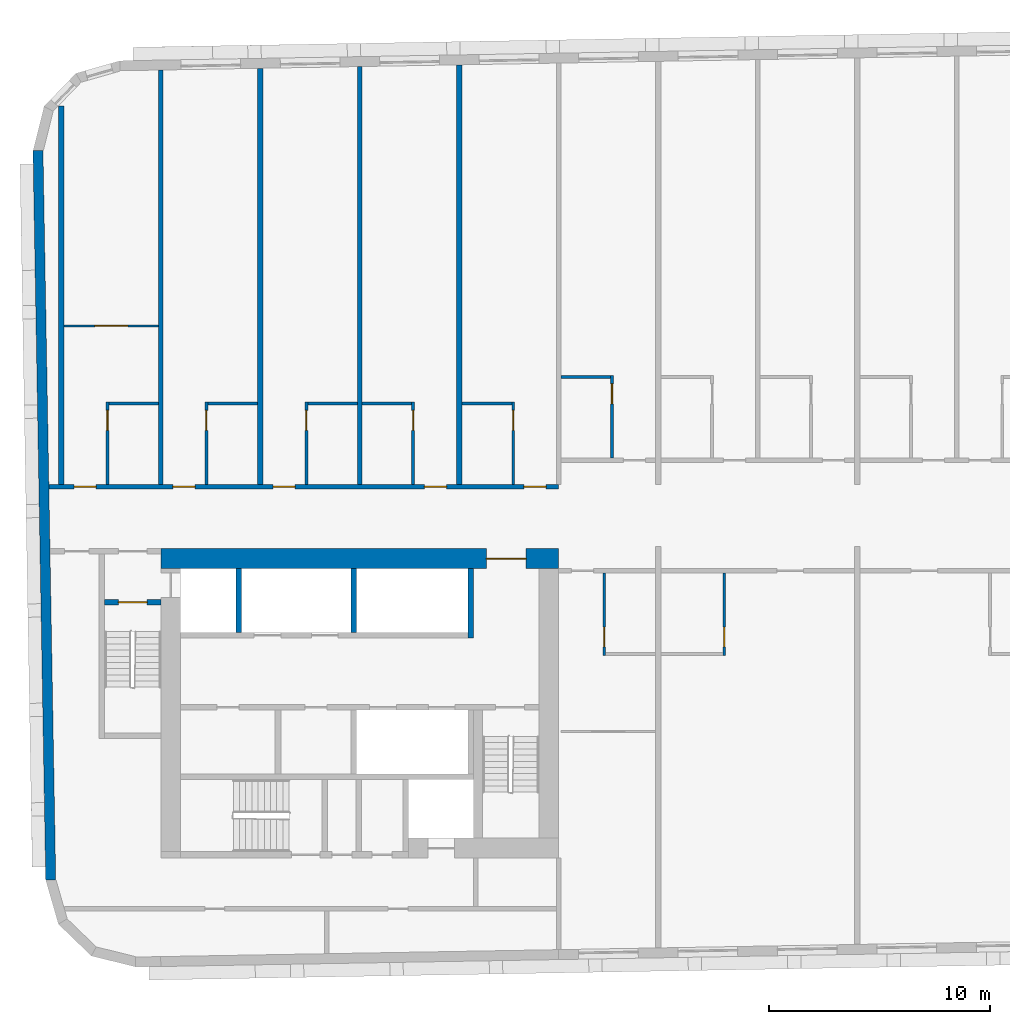
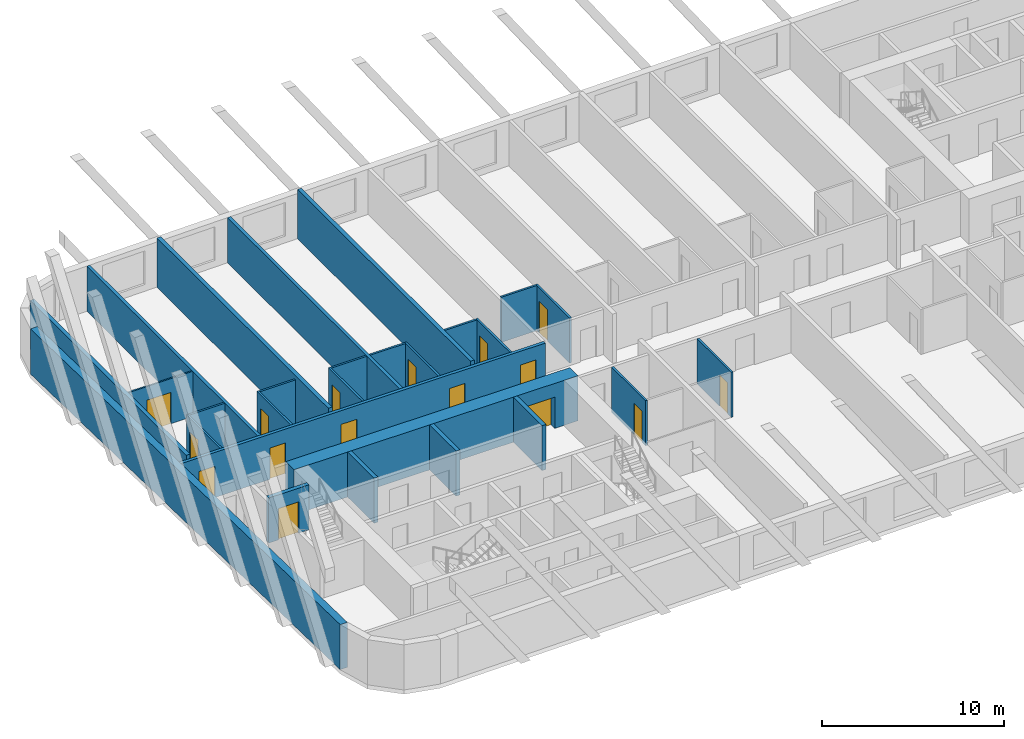
# One storey, part 3 of 13: 27 walls, 16 doors, 16 openings.
"""IFC4 building model written with IfcOpenShell, lengths in metres."""

import ifcopenshell
import ifcopenshell.guid

model = None  # the IFC model being written
_history = None  # IfcOwnerHistory: only IFC2X3 demands one
_inside = {}  # id of a spatial element -> (the spatial element, [elements in it])
_under = {}  # id of a project, library or spatial element -> (it, [spatial elements below it])
_declared = {}  # id of a project -> (the project, [libraries it declares])
_typed = {}  # id of a type object -> (the type object, [elements of that type])
_made_of = {}  # id of a material, layer set ... -> (it, [elements and type objects made of it])


def new_model(schema):
    """Start an empty IFC model of exactly this schema.

    Asked for "IFC4X3", IfcOpenShell would pick the latest addendum, in which some entities
    have other attributes; the version numbers below select the first issue.
    IFC2X3 requires an IfcOwnerHistory on every rooted entity: one is made here for all.
    """
    global model, _history
    if schema == "IFC4X3":
        model = ifcopenshell.file(schema_version=(4, 3, 0, 0))
    else:
        model = ifcopenshell.file(schema=schema)
    _inside.clear()
    _under.clear()
    _declared.clear()
    _typed.clear()
    _made_of.clear()
    _history = None
    if model.schema == "IFC2X3":
        org = make("IfcOrganization", Name="unknown")
        user = make(
            "IfcPersonAndOrganization",
            ThePerson=make("IfcPerson", FamilyName="unknown"),
            TheOrganization=org,
        )
        app = make(
            "IfcApplication",
            ApplicationDeveloper=org,
            Version="unknown",
            ApplicationFullName="unknown",
            ApplicationIdentifier="unknown",
        )
        _history = make(
            "IfcOwnerHistory",
            OwningUser=user,
            OwningApplication=app,
            ChangeAction="ADDED",
            CreationDate=0,
        )
    return model


def make(cls, **values):
    """One entity of the class cls with the attributes given. An attribute that is None is left unset."""
    return model.create_entity(
        cls, **{name: value for name, value in values.items() if value is not None}
    )


def rooted(cls, **values):
    """An entity with a GlobalId (a new one), such as an element, a storey or a relation."""
    return make(cls, GlobalId=ifcopenshell.guid.new(), OwnerHistory=_history, **values)


def si_unit(unit_type, name, prefix=None):
    """IfcSIUnit, for example si_unit("LENGTHUNIT", "METRE", prefix="MILLI")."""
    return make("IfcSIUnit", UnitType=unit_type, Prefix=prefix, Name=name)


def assignment(units):
    """IfcUnitAssignment: the units of a project."""
    return None if units is None else make("IfcUnitAssignment", Units=units)


def point(xyz):
    """IfcCartesianPoint."""
    return None if xyz is None else make("IfcCartesianPoint", Coordinates=xyz)


def direction(xyz):
    """IfcDirection."""
    return None if xyz is None else make("IfcDirection", DirectionRatios=xyz)


def frame(location, z_axis=None, x_axis=None):
    """IfcAxis2Placement3D, a coordinate frame: its origin and axes. An axis left out is left unset."""
    return make(
        "IfcAxis2Placement3D",
        Location=point(location),
        Axis=direction(z_axis),
        RefDirection=direction(x_axis),
    )


def frame_2d(location, x_axis=None):
    """IfcAxis2Placement2D, a coordinate frame in the plane: its origin and x axis."""
    return make(
        "IfcAxis2Placement2D", Location=point(location), RefDirection=direction(x_axis)
    )


def origin():
    """The frame at (0, 0, 0) with its axes left unset."""
    return frame((0.0, 0.0, 0.0))


def place(relative_to, where):
    """IfcLocalPlacement: puts the frame where relative to a parent placement (None: the world)."""
    return make(
        "IfcLocalPlacement", PlacementRelTo=relative_to, RelativePlacement=where
    )


def context(
    kind, dimensions, precision=None, world=None, true_north=None, identifier=None
):
    """IfcGeometricRepresentationContext, for example the 3D "Model" context."""
    return make(
        "IfcGeometricRepresentationContext",
        ContextIdentifier=identifier,
        ContextType=kind,
        CoordinateSpaceDimension=dimensions,
        Precision=precision,
        WorldCoordinateSystem=world,
        TrueNorth=true_north,
    )


def subcontext(parent, identifier, kind, view, scale=None):
    """IfcGeometricRepresentationSubContext, for example "Body" below "Model"."""
    return make(
        "IfcGeometricRepresentationSubContext",
        ContextIdentifier=identifier,
        ContextType=kind,
        ParentContext=parent,
        TargetScale=scale,
        TargetView=view,
    )


def project(units=None, contexts=None):
    """IfcProject with its units and contexts."""
    return rooted(
        "IfcProject",
        Name="project",
        RepresentationContexts=contexts,
        UnitsInContext=assignment(units),
    )


def spatial(cls, under=None, at=None, **own):
    """A site, building, storey or space (cls), placed at a placement, below another one or the project."""
    s = rooted(cls, ObjectPlacement=at, **own)
    if under is not None:
        _under.setdefault(under.id(), (under, []))[1].append(s)
    return s


def profile(cls, at=None, kind="AREA", **sizes):
    """A parametric profile (cls). Its sizes go by their IFC names, for example OverallWidth=200.0."""
    return make(cls, ProfileType=kind, Position=at, **sizes)


def rectangle(**sizes):
    """IfcRectangleProfileDef."""
    return profile("IfcRectangleProfileDef", **sizes)


def extrude(swept, where, along, depth):
    """IfcExtrudedAreaSolid: the profile swept, set in the frame where, extruded along a direction by depth."""
    return make(
        "IfcExtrudedAreaSolid",
        SweptArea=swept,
        Position=where,
        ExtrudedDirection=direction(along),
        Depth=depth,
    )


def shape(context_of_items, identifier, shape_type, items):
    """IfcShapeRepresentation: the items that make up one representation, for example the "Body"."""
    return make(
        "IfcShapeRepresentation",
        ContextOfItems=context_of_items,
        RepresentationIdentifier=identifier,
        RepresentationType=shape_type,
        Items=items,
    )


def material(Name=None, Category=None):
    """IfcMaterial."""
    return make("IfcMaterial", Name=Name, Category=Category)


def layer(
    of_material, thickness, ventilated=None, Name=None, Category=None, Priority=None
):
    """IfcMaterialLayer: one layer of a wall or slab, of a material (None: an air gap)."""
    return make(
        "IfcMaterialLayer",
        Material=of_material,
        LayerThickness=thickness,
        IsVentilated=ventilated,
        Name=Name,
        Category=Category,
        Priority=Priority,
    )


def layer_set(layers, Name=None):
    """IfcMaterialLayerSet."""
    return make("IfcMaterialLayerSet", MaterialLayers=layers, LayerSetName=Name)


def made_of(thing, what):
    """Note that an element or type object is made of a material, layer set ...; save() writes the relation."""
    if what is not None:
        _made_of.setdefault(what.id(), (what, []))[1].append(thing)
    return thing


def type_object(cls, material=None, **own):
    """A type object (cls), such as IfcWallType, which elements share."""
    return made_of(rooted(cls, **own), material)


def element(
    cls,
    number,
    at=None,
    inside=None,
    cuts=None,
    type_object=None,
    material=None,
    context=None,
    identifier="Body",
    shape_type=None,
    held_by="IfcProductDefinitionShape",
    body=None,
    shapes=None,
    **own,
):
    """One element of the class cls, such as IfcWall. Its Tag is "e" and its number.

    at: its placement. inside: the storey or other place that contains it. cuts: it is an
    opening in that element (IfcRelVoidsElement). A single representation is given by context,
    identifier, shape_type and body (its items); several are given by shapes. held_by: the class
    of the entity that holds the representations. save() writes the other relations.
    """
    e = rooted(cls, Tag="e%d" % number, ObjectPlacement=at, **own)
    if body is not None:
        shapes = [shape(context, identifier, shape_type, body)]
    if shapes is not None:
        e.Representation = make(held_by, Representations=shapes)
    if inside is not None:
        _inside.setdefault(inside.id(), (inside, []))[1].append(e)
    if cuts is not None:
        rooted(
            "IfcRelVoidsElement", RelatingBuildingElement=cuts, RelatedOpeningElement=e
        )
    if type_object is not None:
        _typed.setdefault(type_object.id(), (type_object, []))[1].append(e)
    return made_of(e, material)


def fill(opening, filler):
    """IfcRelFillsElement: the door or window that sits in an opening."""
    return rooted(
        "IfcRelFillsElement",
        RelatingOpeningElement=opening,
        RelatedBuildingElement=filler,
    )


def aggregate(whole, parts):
    """IfcRelAggregates: a whole, such as a stair, and the parts it consists of."""
    return rooted("IfcRelAggregates", RelatingObject=whole, RelatedObjects=parts)


def save(model, path):
    """Write the relations noted so far, then the file.

    IfcRelAggregates (storeys below a building ...), IfcRelContainedInSpatialStructure (elements
    in a storey), IfcRelDefinesByType, IfcRelAssociatesMaterial and IfcRelDeclares: one each for
    every whole, place, type object, material and project.
    """
    for whole, parts in _under.values():
        aggregate(whole, parts)
    for where, things in _inside.values():
        rooted(
            "IfcRelContainedInSpatialStructure",
            RelatedElements=things,
            RelatingStructure=where,
        )
    for kind, things in _typed.values():
        rooted("IfcRelDefinesByType", RelatedObjects=things, RelatingType=kind)
    for what, things in _made_of.values():
        rooted("IfcRelAssociatesMaterial", RelatedObjects=things, RelatingMaterial=what)
    for by, libraries in _declared.values():
        rooted("IfcRelDeclares", RelatingContext=by, RelatedDefinitions=libraries)
    model.write(path)


model = new_model("IFC4")

# Units and contexts
model_context = context("Model", 3, precision=1e-05, world=origin(), true_north=direction((0.0, 1.0)))
body_context = subcontext(model_context, "Body", "Model", "MODEL_VIEW")
ifc_project = project(units=[si_unit("LENGTHUNIT", "METRE"), si_unit("AREAUNIT", "SQUARE_METRE"), si_unit("VOLUMEUNIT", "CUBIC_METRE"), si_unit("PLANEANGLEUNIT", "RADIAN"), si_unit("MASSUNIT", "GRAM", prefix="KILO")], contexts=[model_context])

# Site, building, storey
site_placement = place(None, origin())
site = spatial("IfcSite", under=ifc_project, at=site_placement, CompositionType="ELEMENT")
building_placement = place(site_placement, origin())
building = spatial("IfcBuilding", under=site, at=building_placement, Name="Kajstack Hotel Tower", CompositionType="ELEMENT")
storey_placement = place(building_placement, frame((0.0, 0.0, 237.5)))
storey = spatial("IfcBuildingStorey", under=building, at=storey_placement, Name="L58", CompositionType="ELEMENT", Elevation=237.5)

# Wall, opening, door
ifc_material_1 = material(Name="Concrete C60/75", Category="concrete")
ifc_layer_1 = layer(ifc_material_1, 0.89990234375)
ifc_layer_set_1 = layer_set([ifc_layer_1], Name="Core wall 900")
wall_type_1 = type_object("IfcWallType", Name="Core wall 900", PredefinedType="SHEAR", material=ifc_layer_set_1)
wall_1_placement = place(storey_placement, frame((-31.5, -1.949951171875, 0.0), z_axis=(0.0, 0.0, 1.0), x_axis=(1.0, 0.0, 0.0)))
wall_1 = element("IfcWall", 1, at=wall_1_placement, inside=storey, type_object=wall_type_1, Name="Core wall W RN", PredefinedType="SHEAR", context=body_context, shape_type="SweptSolid", body=[
    extrude(rectangle(XDim=18.0, YDim=0.89990234375, at=frame_2d((9.0, 0.0))), origin(), (0.0, 0.0, 1.0), 3.02001953125),
])
opening_1_placement = place(wall_1_placement, frame((14.72509765625, 0.0, 0.0)))
opening_1 = element("IfcOpeningElement", 2, at=opening_1_placement, cuts=wall_1, Name="Opening 58W07", PredefinedType="OPENING", context=body_context, shape_type="SweptSolid", body=[
    extrude(rectangle(XDim=1.800048828125, YDim=2.10009765625, at=frame_2d((0.89990234375, 1.050048828125))), frame((0.0, 0.4599609375, 0.0), z_axis=(0.0, -1.0, 0.0), x_axis=(1.0, 0.0, 0.0)), (0.0, 0.0, 1.0), 0.919921875),
])
ifc_material_2 = material(Name="Glazed steel frame, fire-rated glass", Category="steel")
door_type_1 = type_object("IfcDoorType", Name="Lobby double door 1800", OperationType="DOUBLE_DOOR_DOUBLE_SWING", PredefinedType="DOOR", material=ifc_material_2)
door_1_placement = place(opening_1_placement, origin())
door_1 = element("IfcDoor", 3, at=door_1_placement, inside=storey, type_object=door_type_1, Name="Door 58W07", OperationType="DOUBLE_DOOR_DOUBLE_SWING", OverallHeight=2.10009765625, OverallWidth=1.800048828125, PredefinedType="DOOR", context=body_context, shape_type="SweptSolid", body=[
    extrude(rectangle(XDim=1.800048828125, YDim=2.10009765625, at=frame_2d((0.89990234375, 1.050048828125))), frame((0.0, 0.02490234375, 0.0), z_axis=(0.0, -1.0, 0.0), x_axis=(1.0, 0.0, 0.0)), (0.0, 0.0, 1.0), 0.050048828125),
])
fill(opening_1, door_1)

# Wall, openings, doors
ifc_material_3 = material(Name="Gypsum board on steel studs, mineral wool", Category="steel")
ifc_layer_2 = layer(ifc_material_3, 0.199951171875)
ifc_layer_set_2 = layer_set([ifc_layer_2], Name="Corridor wall 200")
wall_type_2 = type_object("IfcWallType", Name="Corridor wall 200", PredefinedType="PARTITIONING", material=ifc_layer_set_2)
wall_2_placement = place(storey_placement, frame((-36.56591796875, 1.300048828125, 0.0), z_axis=(0.0, 0.0, 1.0), x_axis=(1.0, 0.0, 0.0)))
wall_2 = element("IfcWall", 4, at=wall_2_placement, inside=storey, type_object=wall_type_2, Name="G-wall-L58-003", PredefinedType="PARTITIONING", context=body_context, shape_type="SweptSolid", body=[
    extrude(rectangle(XDim=23.06591796875, YDim=0.199951171875, at=frame_2d((11.532958984375, 0.0))), origin(), (0.0, 0.0, 1.0), 3.02001953125),
])
opening_2_placement = place(wall_2_placement, frame((1.14111328125, 0.0, 0.0)))
opening_2 = element("IfcOpeningElement", 5, at=opening_2_placement, cuts=wall_2, Name="Opening 58001", PredefinedType="OPENING", context=body_context, shape_type="SweptSolid", body=[
    extrude(rectangle(XDim=1.0, YDim=2.10009765625, at=frame_2d((0.5, 1.050048828125))), frame((0.0, 0.10986328125, 0.0), z_axis=(0.0, -1.0, 0.0), x_axis=(1.0, 0.0, 0.0)), (0.0, 0.0, 1.0), 0.219970703125),
])
opening_3_placement = place(wall_2_placement, frame((5.615966796875, 0.0, 0.0)))
opening_3 = element("IfcOpeningElement", 6, at=opening_3_placement, cuts=wall_2, Name="Opening 58004", PredefinedType="OPENING", context=body_context, shape_type="SweptSolid", body=[
    extrude(rectangle(XDim=1.0, YDim=2.10009765625, at=frame_2d((0.5, 1.050048828125))), frame((0.0, 0.10986328125, 0.0), z_axis=(0.0, -1.0, 0.0), x_axis=(1.0, 0.0, 0.0)), (0.0, 0.0, 1.0), 0.219970703125),
])
opening_4_placement = place(wall_2_placement, frame((10.14111328125, 0.0, 0.0)))
opening_4 = element("IfcOpeningElement", 7, at=opening_4_placement, cuts=wall_2, Name="Opening 58006", PredefinedType="OPENING", context=body_context, shape_type="SweptSolid", body=[
    extrude(rectangle(XDim=1.0, YDim=2.10009765625, at=frame_2d((0.5, 1.050048828125))), frame((0.0, 0.10986328125, 0.0), z_axis=(0.0, -1.0, 0.0), x_axis=(1.0, 0.0, 0.0)), (0.0, 0.0, 1.0), 0.219970703125),
])
opening_5_placement = place(wall_2_placement, frame((16.990966796875, 0.0, 0.0)))
opening_5 = element("IfcOpeningElement", 8, at=opening_5_placement, cuts=wall_2, Name="Opening 58008", PredefinedType="OPENING", context=body_context, shape_type="SweptSolid", body=[
    extrude(rectangle(XDim=1.0, YDim=2.10009765625, at=frame_2d((0.5, 1.050048828125))), frame((0.0, 0.10986328125, 0.0), z_axis=(0.0, -1.0, 0.0), x_axis=(1.0, 0.0, 0.0)), (0.0, 0.0, 1.0), 0.219970703125),
])
opening_6_placement = place(wall_2_placement, frame((21.490966796875, 0.0, 0.0)))
opening_6 = element("IfcOpeningElement", 9, at=opening_6_placement, cuts=wall_2, Name="Opening 58010", PredefinedType="OPENING", context=body_context, shape_type="SweptSolid", body=[
    extrude(rectangle(XDim=1.0, YDim=2.10009765625, at=frame_2d((0.5, 1.050048828125))), frame((0.0, 0.10986328125, 0.0), z_axis=(0.0, -1.0, 0.0), x_axis=(1.0, 0.0, 0.0)), (0.0, 0.0, 1.0), 0.219970703125),
])
ifc_material_4 = material(Name="Oak veneer on timber core, fire-rated leaf", Category="wood")
door_type_2 = type_object("IfcDoorType", Name="Flat entrance door 1000", OperationType="SINGLE_SWING_LEFT", PredefinedType="DOOR", material=ifc_material_4)
door_2_placement = place(opening_2_placement, origin())
door_2 = element("IfcDoor", 10, at=door_2_placement, inside=storey, type_object=door_type_2, Name="G-door-L58-01", OperationType="SINGLE_SWING_LEFT", OverallHeight=2.10009765625, OverallWidth=1.0, PredefinedType="DOOR", context=body_context, shape_type="SweptSolid", body=[
    extrude(rectangle(XDim=1.0, YDim=2.10009765625, at=frame_2d((0.5, 1.050048828125))), frame((0.0, 0.02490234375, 0.0), z_axis=(0.0, -1.0, 0.0), x_axis=(1.0, 0.0, 0.0)), (0.0, 0.0, 1.0), 0.050048828125),
])
fill(opening_2, door_2)
door_3_placement = place(opening_3_placement, origin())
door_3 = element("IfcDoor", 11, at=door_3_placement, inside=storey, type_object=door_type_2, Name="G-door-L58-04", OperationType="SINGLE_SWING_LEFT", OverallHeight=2.10009765625, OverallWidth=1.0, PredefinedType="DOOR", context=body_context, shape_type="SweptSolid", body=[
    extrude(rectangle(XDim=1.0, YDim=2.10009765625, at=frame_2d((0.5, 1.050048828125))), frame((0.0, 0.02490234375, 0.0), z_axis=(0.0, -1.0, 0.0), x_axis=(1.0, 0.0, 0.0)), (0.0, 0.0, 1.0), 0.050048828125),
])
fill(opening_3, door_3)
door_4_placement = place(opening_4_placement, origin())
door_4 = element("IfcDoor", 12, at=door_4_placement, inside=storey, type_object=door_type_2, Name="G-door-L58-06", OperationType="SINGLE_SWING_RIGHT", OverallHeight=2.10009765625, OverallWidth=1.0, PredefinedType="DOOR", context=body_context, shape_type="SweptSolid", body=[
    extrude(rectangle(XDim=1.0, YDim=2.10009765625, at=frame_2d((0.5, 1.050048828125))), frame((0.0, 0.02490234375, 0.0), z_axis=(0.0, -1.0, 0.0), x_axis=(1.0, 0.0, 0.0)), (0.0, 0.0, 1.0), 0.050048828125),
])
fill(opening_4, door_4)
door_5_placement = place(opening_5_placement, origin())
door_5 = element("IfcDoor", 13, at=door_5_placement, inside=storey, type_object=door_type_2, Name="G-door-L58-08", OperationType="SINGLE_SWING_RIGHT", OverallHeight=2.10009765625, OverallWidth=1.0, PredefinedType="DOOR", context=body_context, shape_type="SweptSolid", body=[
    extrude(rectangle(XDim=1.0, YDim=2.10009765625, at=frame_2d((0.5, 1.050048828125))), frame((0.0, 0.02490234375, 0.0), z_axis=(0.0, -1.0, 0.0), x_axis=(1.0, 0.0, 0.0)), (0.0, 0.0, 1.0), 0.050048828125),
])
fill(opening_5, door_5)
door_6_placement = place(opening_6_placement, origin())
door_6 = element("IfcDoor", 14, at=door_6_placement, inside=storey, type_object=door_type_2, Name="G-door-L58-10", OperationType="SINGLE_SWING_LEFT", OverallHeight=2.10009765625, OverallWidth=1.0, PredefinedType="DOOR", context=body_context, shape_type="SweptSolid", body=[
    extrude(rectangle(XDim=1.0, YDim=2.10009765625, at=frame_2d((0.5, 1.050048828125))), frame((0.0, 0.02490234375, 0.0), z_axis=(0.0, -1.0, 0.0), x_axis=(1.0, 0.0, 0.0)), (0.0, 0.0, 1.0), 0.050048828125),
])
fill(opening_6, door_6)

# Walls
ifc_material_5 = material(Name="Twin-frame gypsum board on steel studs, mineral wool", Category="steel")
ifc_layer_3 = layer(ifc_material_5, 0.199951171875)
ifc_layer_set_3 = layer_set([ifc_layer_3], Name="Demising wall 200")
wall_type_3 = type_object("IfcWallType", Name="Demising wall 200", PredefinedType="PARTITIONING", material=ifc_layer_set_3)
wall_3_placement = place(storey_placement, frame((-31.5, 1.39990234375, 0.0), z_axis=(0.0, 0.0, 1.0), x_axis=(0.0, 1.0, 0.0)))
element("IfcWall", 15, at=wall_3_placement, inside=storey, type_object=wall_type_3, Name="G-wall-L58-005", PredefinedType="PARTITIONING", context=body_context, shape_type="SweptSolid", body=[
    extrude(rectangle(XDim=18.7509765625, YDim=0.199951171875, at=frame_2d((9.37548828125, 0.0))), origin(), (0.0, 0.0, 1.0), 3.02001953125),
])
wall_4_placement = place(storey_placement, frame((-22.5, 1.39990234375, 0.0), z_axis=(0.0, 0.0, 1.0), x_axis=(0.0, 1.0, 0.0)))
element("IfcWall", 16, at=wall_4_placement, inside=storey, type_object=wall_type_3, Name="G-wall-L58-011", PredefinedType="PARTITIONING", context=body_context, shape_type="SweptSolid", body=[
    extrude(rectangle(XDim=18.908203125, YDim=0.199951171875, at=frame_2d((9.4541015625, 0.0))), origin(), (0.0, 0.0, 1.0), 3.02001953125),
])
ifc_material_6 = material(Name="Terracotta-faced brick masonry", Category="masonry")
ifc_layer_4 = layer(ifc_material_6, 0.449951171875)
ifc_layer_set_4 = layer_set([ifc_layer_4], Name="EW-TERRA")
wall_type_4 = type_object("IfcWallType", Name="EW-TERRA", PredefinedType="SOLIDWALL", material=ifc_layer_set_4)
wall_5_placement = place(storey_placement, frame((-37.056884765625, 16.50341796875, 0.0), z_axis=(0.0, 0.0, 1.0), x_axis=(0.017452279857, -0.999847697366, 0.0)))
element("IfcWall", 17, at=wall_5_placement, inside=storey, type_object=wall_type_4, Name="E-wall-L58-00-00", PredefinedType="SOLIDWALL", context=body_context, shape_type="SweptSolid", body=[
    extrude(rectangle(XDim=33.000244140625, YDim=0.449951171875, at=frame_2d((16.5, 0.0))), origin(), (0.0, 0.0, 1.0), 3.02001953125),
])

# Wall, opening, door
ifc_material_7 = material(Name="Gypsum board and tiled backer on steel studs", Category="steel")
ifc_layer_5 = layer(ifc_material_7, 0.125)
ifc_layer_set_5 = layer_set([ifc_layer_5], Name="En-suite wall 125")
wall_type_5 = type_object("IfcWallType", Name="En-suite wall 125", PredefinedType="PARTITIONING", material=ifc_layer_set_5)
wall_6_placement = place(storey_placement, frame((-33.9130859375, 1.39990234375, 0.0), z_axis=(0.0, 0.0, 1.0), x_axis=(0.0, 1.0, 0.0)))
wall_6 = element("IfcWall", 18, at=wall_6_placement, inside=storey, type_object=wall_type_5, Name="G-wall-L58-006", PredefinedType="PARTITIONING", context=body_context, shape_type="SweptSolid", body=[
    extrude(rectangle(XDim=3.72509765625, YDim=0.125, at=frame_2d((1.862548828125, 0.0))), origin(), (0.0, 0.0, 1.0), 3.02001953125),
])
opening_7_placement = place(wall_6_placement, frame((2.449951171875, 0.0, 0.0)))
opening_7 = element("IfcOpeningElement", 19, at=opening_7_placement, cuts=wall_6, Name="Opening 58002", PredefinedType="OPENING", context=body_context, shape_type="SweptSolid", body=[
    extrude(rectangle(XDim=0.89990234375, YDim=2.10009765625, at=frame_2d((0.449951171875, 1.050048828125))), frame((0.0, 0.072509765625, 0.0), z_axis=(0.0, -1.0, 0.0), x_axis=(1.0, 0.0, 0.0)), (0.0, 0.0, 1.0), 0.14501953125),
])
ifc_material_8 = material(Name="Painted timber door leaf", Category="wood")
door_type_3 = type_object("IfcDoorType", Name="Room door 900", OperationType="SINGLE_SWING_LEFT", PredefinedType="DOOR", material=ifc_material_8)
door_7_placement = place(opening_7_placement, origin())
door_7 = element("IfcDoor", 20, at=door_7_placement, inside=storey, type_object=door_type_3, Name="G-door-L58-02", OperationType="SINGLE_SWING_LEFT", OverallHeight=2.10009765625, OverallWidth=0.89990234375, PredefinedType="DOOR", context=body_context, shape_type="SweptSolid", body=[
    extrude(rectangle(XDim=0.89990234375, YDim=2.10009765625, at=frame_2d((0.449951171875, 1.050048828125))), frame((0.0, 0.02490234375, 0.0), z_axis=(0.0, -1.0, 0.0), x_axis=(1.0, 0.0, 0.0)), (0.0, 0.0, 1.0), 0.050048828125),
])
fill(opening_7, door_7)

# Wall
wall_7_placement = place(storey_placement, frame((-33.85009765625, 5.06201171875, 0.0), z_axis=(0.0, 0.0, 1.0), x_axis=(1.0, 0.0, 0.0)))
element("IfcWall", 21, at=wall_7_placement, inside=storey, type_object=wall_type_5, Name="G-wall-L58-007", PredefinedType="PARTITIONING", context=body_context, shape_type="SweptSolid", body=[
    extrude(rectangle(XDim=2.25, YDim=0.125, at=frame_2d((1.125, 0.0))), origin(), (0.0, 0.0, 1.0), 3.02001953125),
])

# Wall, opening, door
wall_8_placement = place(storey_placement, frame((-29.43798828125, 1.39990234375, 0.0), z_axis=(0.0, 0.0, 1.0), x_axis=(0.0, 1.0, 0.0)))
wall_8 = element("IfcWall", 22, at=wall_8_placement, inside=storey, type_object=wall_type_5, Name="G-wall-L58-009", PredefinedType="PARTITIONING", context=body_context, shape_type="SweptSolid", body=[
    extrude(rectangle(XDim=3.72509765625, YDim=0.125, at=frame_2d((1.862548828125, 0.0))), origin(), (0.0, 0.0, 1.0), 3.02001953125),
])
opening_8_placement = place(wall_8_placement, frame((2.449951171875, 0.0, 0.0)))
opening_8 = element("IfcOpeningElement", 23, at=opening_8_placement, cuts=wall_8, Name="Opening 58005", PredefinedType="OPENING", context=body_context, shape_type="SweptSolid", body=[
    extrude(rectangle(XDim=0.89990234375, YDim=2.10009765625, at=frame_2d((0.449951171875, 1.050048828125))), frame((0.0, 0.072509765625, 0.0), z_axis=(0.0, -1.0, 0.0), x_axis=(1.0, 0.0, 0.0)), (0.0, 0.0, 1.0), 0.14501953125),
])
door_8_placement = place(opening_8_placement, origin())
door_8 = element("IfcDoor", 24, at=door_8_placement, inside=storey, type_object=door_type_3, Name="G-door-L58-05", OperationType="SINGLE_SWING_LEFT", OverallHeight=2.10009765625, OverallWidth=0.89990234375, PredefinedType="DOOR", context=body_context, shape_type="SweptSolid", body=[
    extrude(rectangle(XDim=0.89990234375, YDim=2.10009765625, at=frame_2d((0.449951171875, 1.050048828125))), frame((0.0, 0.02490234375, 0.0), z_axis=(0.0, -1.0, 0.0), x_axis=(1.0, 0.0, 0.0)), (0.0, 0.0, 1.0), 0.050048828125),
])
fill(opening_8, door_8)

# Wall
wall_9_placement = place(storey_placement, frame((-29.375, 5.06201171875, 0.0), z_axis=(0.0, 0.0, 1.0), x_axis=(1.0, 0.0, 0.0)))
element("IfcWall", 25, at=wall_9_placement, inside=storey, type_object=wall_type_5, Name="G-wall-L58-010", PredefinedType="PARTITIONING", context=body_context, shape_type="SweptSolid", body=[
    extrude(rectangle(XDim=2.25, YDim=0.125, at=frame_2d((1.125, 0.0))), origin(), (0.0, 0.0, 1.0), 3.02001953125),
])

# Wall, opening, door
wall_10_placement = place(storey_placement, frame((-24.9130859375, 1.39990234375, 0.0), z_axis=(0.0, 0.0, 1.0), x_axis=(0.0, 1.0, 0.0)))
wall_10 = element("IfcWall", 26, at=wall_10_placement, inside=storey, type_object=wall_type_5, Name="G-wall-L58-012", PredefinedType="PARTITIONING", context=body_context, shape_type="SweptSolid", body=[
    extrude(rectangle(XDim=3.72509765625, YDim=0.125, at=frame_2d((1.862548828125, 0.0))), origin(), (0.0, 0.0, 1.0), 3.02001953125),
])
opening_9_placement = place(wall_10_placement, frame((2.449951171875, 0.0, 0.0)))
opening_9 = element("IfcOpeningElement", 27, at=opening_9_placement, cuts=wall_10, Name="Opening 58007", PredefinedType="OPENING", context=body_context, shape_type="SweptSolid", body=[
    extrude(rectangle(XDim=0.89990234375, YDim=2.10009765625, at=frame_2d((0.449951171875, 1.050048828125))), frame((0.0, 0.072509765625, 0.0), z_axis=(0.0, -1.0, 0.0), x_axis=(1.0, 0.0, 0.0)), (0.0, 0.0, 1.0), 0.14501953125),
])
door_9_placement = place(opening_9_placement, origin())
door_9 = element("IfcDoor", 28, at=door_9_placement, inside=storey, type_object=door_type_3, Name="G-door-L58-07", OperationType="SINGLE_SWING_LEFT", OverallHeight=2.10009765625, OverallWidth=0.89990234375, PredefinedType="DOOR", context=body_context, shape_type="SweptSolid", body=[
    extrude(rectangle(XDim=0.89990234375, YDim=2.10009765625, at=frame_2d((0.449951171875, 1.050048828125))), frame((0.0, 0.02490234375, 0.0), z_axis=(0.0, -1.0, 0.0), x_axis=(1.0, 0.0, 0.0)), (0.0, 0.0, 1.0), 0.050048828125),
])
fill(opening_9, door_9)

# Wall
wall_11_placement = place(storey_placement, frame((-24.85009765625, 5.06201171875, 0.0), z_axis=(0.0, 0.0, 1.0), x_axis=(1.0, 0.0, 0.0)))
element("IfcWall", 29, at=wall_11_placement, inside=storey, type_object=wall_type_5, Name="G-wall-L58-013", PredefinedType="PARTITIONING", context=body_context, shape_type="SweptSolid", body=[
    extrude(rectangle(XDim=2.25, YDim=0.125, at=frame_2d((1.125, 0.0))), origin(), (0.0, 0.0, 1.0), 3.02001953125),
])

# Wall, opening, door
wall_12_placement = place(storey_placement, frame((-20.0869140625, 1.39990234375, 0.0), z_axis=(0.0, 0.0, 1.0), x_axis=(0.0, 1.0, 0.0)))
wall_12 = element("IfcWall", 30, at=wall_12_placement, inside=storey, type_object=wall_type_5, Name="G-wall-L58-014", PredefinedType="PARTITIONING", context=body_context, shape_type="SweptSolid", body=[
    extrude(rectangle(XDim=3.72509765625, YDim=0.125, at=frame_2d((1.862548828125, 0.0))), origin(), (0.0, 0.0, 1.0), 3.02001953125),
])
opening_10_placement = place(wall_12_placement, frame((2.449951171875, 0.0, 0.0)))
opening_10 = element("IfcOpeningElement", 31, at=opening_10_placement, cuts=wall_12, Name="Opening 58009", PredefinedType="OPENING", context=body_context, shape_type="SweptSolid", body=[
    extrude(rectangle(XDim=0.89990234375, YDim=2.10009765625, at=frame_2d((0.449951171875, 1.050048828125))), frame((0.0, 0.072509765625, 0.0), z_axis=(0.0, -1.0, 0.0), x_axis=(1.0, 0.0, 0.0)), (0.0, 0.0, 1.0), 0.14501953125),
])
door_10_placement = place(opening_10_placement, origin())
door_10 = element("IfcDoor", 32, at=door_10_placement, inside=storey, type_object=door_type_3, Name="G-door-L58-09", OperationType="SINGLE_SWING_LEFT", OverallHeight=2.10009765625, OverallWidth=0.89990234375, PredefinedType="DOOR", context=body_context, shape_type="SweptSolid", body=[
    extrude(rectangle(XDim=0.89990234375, YDim=2.10009765625, at=frame_2d((0.449951171875, 1.050048828125))), frame((0.0, 0.02490234375, 0.0), z_axis=(0.0, -1.0, 0.0), x_axis=(1.0, 0.0, 0.0)), (0.0, 0.0, 1.0), 0.050048828125),
])
fill(opening_10, door_10)

# Wall
wall_13_placement = place(storey_placement, frame((-22.39990234375, 5.06201171875, 0.0), z_axis=(0.0, 0.0, 1.0), x_axis=(1.0, 0.0, 0.0)))
element("IfcWall", 33, at=wall_13_placement, inside=storey, type_object=wall_type_5, Name="G-wall-L58-015", PredefinedType="PARTITIONING", context=body_context, shape_type="SweptSolid", body=[
    extrude(rectangle(XDim=2.25, YDim=0.125, at=frame_2d((1.125, 0.0))), origin(), (0.0, 0.0, 1.0), 3.02001953125),
])

# Wall, opening, door
wall_14_placement = place(storey_placement, frame((-15.56201171875, 1.39990234375, 0.0), z_axis=(0.0, 0.0, 1.0), x_axis=(0.0, 1.0, 0.0)))
wall_14 = element("IfcWall", 34, at=wall_14_placement, inside=storey, type_object=wall_type_5, Name="G-wall-L58-017", PredefinedType="PARTITIONING", context=body_context, shape_type="SweptSolid", body=[
    extrude(rectangle(XDim=3.72509765625, YDim=0.125, at=frame_2d((1.862548828125, 0.0))), origin(), (0.0, 0.0, 1.0), 3.02001953125),
])
opening_11_placement = place(wall_14_placement, frame((2.449951171875, 0.0, 0.0)))
opening_11 = element("IfcOpeningElement", 35, at=opening_11_placement, cuts=wall_14, Name="Opening 58011", PredefinedType="OPENING", context=body_context, shape_type="SweptSolid", body=[
    extrude(rectangle(XDim=0.89990234375, YDim=2.10009765625, at=frame_2d((0.449951171875, 1.050048828125))), frame((0.0, 0.072509765625, 0.0), z_axis=(0.0, -1.0, 0.0), x_axis=(1.0, 0.0, 0.0)), (0.0, 0.0, 1.0), 0.14501953125),
])
door_11_placement = place(opening_11_placement, origin())
door_11 = element("IfcDoor", 36, at=door_11_placement, inside=storey, type_object=door_type_3, Name="G-door-L58-11", OperationType="SINGLE_SWING_RIGHT", OverallHeight=2.10009765625, OverallWidth=0.89990234375, PredefinedType="DOOR", context=body_context, shape_type="SweptSolid", body=[
    extrude(rectangle(XDim=0.89990234375, YDim=2.10009765625, at=frame_2d((0.449951171875, 1.050048828125))), frame((0.0, 0.02490234375, 0.0), z_axis=(0.0, -1.0, 0.0), x_axis=(1.0, 0.0, 0.0)), (0.0, 0.0, 1.0), 0.050048828125),
])
fill(opening_11, door_11)

# Wall
wall_15_placement = place(storey_placement, frame((-17.875, 5.06201171875, 0.0), z_axis=(0.0, 0.0, 1.0), x_axis=(1.0, 0.0, 0.0)))
element("IfcWall", 37, at=wall_15_placement, inside=storey, type_object=wall_type_5, Name="G-wall-L58-018", PredefinedType="PARTITIONING", context=body_context, shape_type="SweptSolid", body=[
    extrude(rectangle(XDim=2.25, YDim=0.125, at=frame_2d((1.125, 0.0))), origin(), (0.0, 0.0, 1.0), 3.02001953125),
])

# Wall, opening, door
wall_16_placement = place(storey_placement, frame((-11.087890625, 2.60009765625, 0.0), z_axis=(0.0, 0.0, 1.0), x_axis=(0.0, 1.0, 0.0)))
wall_16 = element("IfcWall", 38, at=wall_16_placement, inside=storey, type_object=wall_type_5, Name="G-wall-L58-019", PredefinedType="PARTITIONING", context=body_context, shape_type="SweptSolid", body=[
    extrude(rectangle(XDim=3.724853515625, YDim=0.125, at=frame_2d((1.8623046875, 0.0))), origin(), (0.0, 0.0, 1.0), 3.02001953125),
])
opening_12_placement = place(wall_16_placement, frame((2.449951171875, 0.0, 0.0)))
opening_12 = element("IfcOpeningElement", 39, at=opening_12_placement, cuts=wall_16, Name="Opening 58013", PredefinedType="OPENING", context=body_context, shape_type="SweptSolid", body=[
    extrude(rectangle(XDim=0.89990234375, YDim=2.10009765625, at=frame_2d((0.449951171875, 1.050048828125))), frame((0.0, 0.072509765625, 0.0), z_axis=(0.0, -1.0, 0.0), x_axis=(1.0, 0.0, 0.0)), (0.0, 0.0, 1.0), 0.14501953125),
])
door_12_placement = place(opening_12_placement, origin())
door_12 = element("IfcDoor", 40, at=door_12_placement, inside=storey, type_object=door_type_3, Name="G-door-L58-13", OperationType="SINGLE_SWING_RIGHT", OverallHeight=2.10009765625, OverallWidth=0.89990234375, PredefinedType="DOOR", context=body_context, shape_type="SweptSolid", body=[
    extrude(rectangle(XDim=0.89990234375, YDim=2.10009765625, at=frame_2d((0.449951171875, 1.050048828125))), frame((0.0, 0.02490234375, 0.0), z_axis=(0.0, -1.0, 0.0), x_axis=(1.0, 0.0, 0.0)), (0.0, 0.0, 1.0), 0.050048828125),
])
fill(opening_12, door_12)

# Wall
wall_17_placement = place(storey_placement, frame((-13.39990234375, 6.262939453125, 0.0), z_axis=(0.0, 0.0, 1.0), x_axis=(1.0, 0.0, 0.0)))
element("IfcWall", 41, at=wall_17_placement, inside=storey, type_object=wall_type_5, Name="G-wall-L58-020", PredefinedType="PARTITIONING", context=body_context, shape_type="SweptSolid", body=[
    extrude(rectangle(XDim=2.25, YDim=0.125, at=frame_2d((1.125, 0.0))), origin(), (0.0, 0.0, 1.0), 3.02001953125),
])

# Wall, opening, door
wall_18_placement = place(storey_placement, frame((-11.43798828125, -6.324951171875, 0.0), z_axis=(0.0, 0.0, 1.0), x_axis=(0.0, 1.0, 0.0)))
wall_18 = element("IfcWall", 42, at=wall_18_placement, inside=storey, type_object=wall_type_5, Name="G-wall-L58-035", PredefinedType="PARTITIONING", context=body_context, shape_type="SweptSolid", body=[
    extrude(rectangle(XDim=3.724853515625, YDim=0.125, at=frame_2d((1.8623046875, 0.0))), origin(), (0.0, 0.0, 1.0), 3.02001953125),
])
opening_13_placement = place(wall_18_placement, frame((0.375, 0.0, 0.0)))
opening_13 = element("IfcOpeningElement", 43, at=opening_13_placement, cuts=wall_18, Name="Opening 58025", PredefinedType="OPENING", context=body_context, shape_type="SweptSolid", body=[
    extrude(rectangle(XDim=0.89990234375, YDim=2.10009765625, at=frame_2d((0.449951171875, 1.050048828125))), frame((0.0, 0.072509765625, 0.0), z_axis=(0.0, -1.0, 0.0), x_axis=(1.0, 0.0, 0.0)), (0.0, 0.0, 1.0), 0.14501953125),
])
door_13_placement = place(opening_13_placement, origin())
door_13 = element("IfcDoor", 44, at=door_13_placement, inside=storey, type_object=door_type_3, Name="G-door-L58-25", OperationType="SINGLE_SWING_RIGHT", OverallHeight=2.10009765625, OverallWidth=0.89990234375, PredefinedType="DOOR", context=body_context, shape_type="SweptSolid", body=[
    extrude(rectangle(XDim=0.89990234375, YDim=2.10009765625, at=frame_2d((0.449951171875, 1.050048828125))), frame((0.0, 0.02490234375, 0.0), z_axis=(0.0, -1.0, 0.0), x_axis=(1.0, 0.0, 0.0)), (0.0, 0.0, 1.0), 0.050048828125),
])
fill(opening_13, door_13)

wall_19_placement = place(storey_placement, frame((-6.012939453125, -6.324951171875, 0.0), z_axis=(0.0, 0.0, 1.0), x_axis=(0.0, 1.0, 0.0)))
wall_19 = element("IfcWall", 45, at=wall_19_placement, inside=storey, type_object=wall_type_5, Name="G-wall-L58-038", PredefinedType="PARTITIONING", context=body_context, shape_type="SweptSolid", body=[
    extrude(rectangle(XDim=3.724853515625, YDim=0.125, at=frame_2d((1.8623046875, 0.0))), origin(), (0.0, 0.0, 1.0), 3.02001953125),
])
opening_14_placement = place(wall_19_placement, frame((0.375, 0.0, 0.0)))
opening_14 = element("IfcOpeningElement", 46, at=opening_14_placement, cuts=wall_19, Name="Opening 58028", PredefinedType="OPENING", context=body_context, shape_type="SweptSolid", body=[
    extrude(rectangle(XDim=0.89990234375, YDim=2.10009765625, at=frame_2d((0.449951171875, 1.050048828125))), frame((0.0, 0.072509765625, 0.0), z_axis=(0.0, -1.0, 0.0), x_axis=(1.0, 0.0, 0.0)), (0.0, 0.0, 1.0), 0.14501953125),
])
door_14_placement = place(opening_14_placement, origin())
door_14 = element("IfcDoor", 47, at=door_14_placement, inside=storey, type_object=door_type_3, Name="G-door-L58-28", OperationType="SINGLE_SWING_LEFT", OverallHeight=2.10009765625, OverallWidth=0.89990234375, PredefinedType="DOOR", context=body_context, shape_type="SweptSolid", body=[
    extrude(rectangle(XDim=0.89990234375, YDim=2.10009765625, at=frame_2d((0.449951171875, 1.050048828125))), frame((0.0, 0.02490234375, 0.0), z_axis=(0.0, -1.0, 0.0), x_axis=(1.0, 0.0, 0.0)), (0.0, 0.0, 1.0), 0.050048828125),
])
fill(opening_14, door_14)

# Wall
ifc_material_9 = material(Name="Concrete C50/60", Category="concrete")
ifc_layer_6 = layer(ifc_material_9, 0.300048828125)
ifc_layer_set_6 = layer_set([ifc_layer_6], Name="Hoistway divider wall 300")
wall_type_6 = type_object("IfcWallType", Name="Hoistway divider wall 300", PredefinedType="SHEAR", material=ifc_layer_set_6)
wall_20_placement = place(storey_placement, frame((-22.77490234375, -5.300048828125, 0.0), z_axis=(0.0, 0.0, 1.0), x_axis=(0.0, 1.0, 0.0)))
element("IfcWall", 48, at=wall_20_placement, inside=storey, type_object=wall_type_6, Name="Core wall W AP2", PredefinedType="SHEAR", context=body_context, shape_type="SweptSolid", body=[
    extrude(rectangle(XDim=2.900146484375, YDim=0.25, at=frame_2d((1.4501953125, 0.0))), origin(), (0.0, 0.0, 1.0), 3.02001953125),
])

# Wall, opening, door
ifc_material_10 = material(Name="Gypsum board on steel studs", Category="steel")
ifc_layer_7 = layer(ifc_material_10, 0.10009765625)
ifc_layer_set_7 = layer_set([ifc_layer_7], Name="Partition 100")
wall_type_7 = type_object("IfcWallType", Name="Partition 100", PredefinedType="PARTITIONING", material=ifc_layer_set_7)
wall_21_placement = place(storey_placement, frame((-35.875, 8.574951171875, 0.0), z_axis=(0.0, 0.0, 1.0), x_axis=(1.0, 0.0, 0.0)))
wall_21 = element("IfcWall", 49, at=wall_21_placement, inside=storey, type_object=wall_type_7, Name="G-wall-L58-008", PredefinedType="PARTITIONING", context=body_context, shape_type="SweptSolid", body=[
    extrude(rectangle(XDim=4.27490234375, YDim=0.10009765625, at=frame_2d((2.137451171875, 0.0))), origin(), (0.0, 0.0, 1.0), 3.02001953125),
])
opening_15_placement = place(wall_21_placement, frame((1.387939453125, 0.0, 0.0)))
opening_15 = element("IfcOpeningElement", 50, at=opening_15_placement, cuts=wall_21, Name="Opening 58003", PredefinedType="OPENING", context=body_context, shape_type="SweptSolid", body=[
    extrude(rectangle(XDim=1.5, YDim=2.10009765625, at=frame_2d((0.75, 1.050048828125))), frame((0.0, 0.06005859375, 0.0), z_axis=(0.0, -1.0, 0.0), x_axis=(1.0, 0.0, 0.0)), (0.0, 0.0, 1.0), 0.1201171875),
])
ifc_material_11 = material(Name="Painted timber door leaves, glazed panels", Category="wood")
door_type_4 = type_object("IfcDoorType", Name="Double door 1500", OperationType="SINGLE_SWING_LEFT", PredefinedType="DOOR", material=ifc_material_11)
door_15_placement = place(opening_15_placement, origin())
door_15 = element("IfcDoor", 51, at=door_15_placement, inside=storey, type_object=door_type_4, Name="G-door-L58-03", OperationType="SINGLE_SWING_RIGHT", OverallHeight=2.10009765625, OverallWidth=1.5, PredefinedType="DOOR", context=body_context, shape_type="SweptSolid", body=[
    extrude(rectangle(XDim=1.5, YDim=2.10009765625, at=frame_2d((0.75, 1.050048828125))), frame((0.0, 0.02490234375, 0.0), z_axis=(0.0, -1.0, 0.0), x_axis=(1.0, 0.0, 0.0)), (0.0, 0.0, 1.0), 0.050048828125),
])
fill(opening_15, door_15)

# Walls
ifc_material_12 = material(Name="Concrete C45/55", Category="concrete")
ifc_layer_8 = layer(ifc_material_12, 0.25)
ifc_layer_set_8 = layer_set([ifc_layer_8], Name="RC cross wall 250 C45/55")
wall_type_8 = type_object("IfcWallType", Name="RC cross wall 250 C45/55", PredefinedType="SHEAR", material=ifc_layer_set_8)
wall_22_placement = place(storey_placement, frame((-36.0, 1.39990234375, 0.0), z_axis=(0.0, 0.0, 1.0), x_axis=(0.0, 1.0, 0.0)))
element("IfcWall", 52, at=wall_22_placement, inside=storey, type_object=wall_type_8, Name="S-wall-L58-01", PredefinedType="SHEAR", context=body_context, shape_type="SweptSolid", body=[
    extrude(rectangle(XDim=17.12548828125, YDim=0.25, at=frame_2d((8.562744140625, 0.0))), origin(), (0.0, 0.0, 1.0), 3.300048828125),
])
wall_23_placement = place(storey_placement, frame((-27.0, 1.39990234375, 0.0), z_axis=(0.0, 0.0, 1.0), x_axis=(0.0, 1.0, 0.0)))
element("IfcWall", 53, at=wall_23_placement, inside=storey, type_object=wall_type_8, Name="S-wall-L58-02", PredefinedType="SHEAR", context=body_context, shape_type="SweptSolid", body=[
    extrude(rectangle(XDim=18.8173828125, YDim=0.25, at=frame_2d((9.40869140625, 0.0))), origin(), (0.0, 0.0, 1.0), 3.300048828125),
])
wall_24_placement = place(storey_placement, frame((-18.0, 1.39990234375, 0.0), z_axis=(0.0, 0.0, 1.0), x_axis=(0.0, 1.0, 0.0)))
element("IfcWall", 54, at=wall_24_placement, inside=storey, type_object=wall_type_8, Name="S-wall-L58-03", PredefinedType="SHEAR", context=body_context, shape_type="SweptSolid", body=[
    extrude(rectangle(XDim=18.974365234375, YDim=0.25, at=frame_2d((9.4873046875, 0.0))), origin(), (0.0, 0.0, 1.0), 3.300048828125),
])
ifc_layer_9 = layer(ifc_material_9, 0.25)
ifc_layer_set_9 = layer_set([ifc_layer_9], Name="Shaft wall 250")
wall_type_9 = type_object("IfcWallType", Name="Shaft wall 250", PredefinedType="SHEAR", material=ifc_layer_set_9)
wall_25_placement = place(storey_placement, frame((-17.47509765625, -5.550048828125, 0.0), z_axis=(0.0, 0.0, 1.0), x_axis=(0.0, 1.0, 0.0)))
element("IfcWall", 55, at=wall_25_placement, inside=storey, type_object=wall_type_9, Name="Core wall W AE", PredefinedType="SHEAR", context=body_context, shape_type="SweptSolid", body=[
    extrude(rectangle(XDim=3.150146484375, YDim=0.25, at=frame_2d((1.5751953125, 0.0))), origin(), (0.0, 0.0, 1.0), 3.02001953125),
])
wall_26_placement = place(storey_placement, frame((-27.97509765625, -5.300048828125, 0.0), z_axis=(0.0, 0.0, 1.0), x_axis=(0.0, 1.0, 0.0)))
element("IfcWall", 56, at=wall_26_placement, inside=storey, type_object=wall_type_9, Name="Core wall W AP0", PredefinedType="SHEAR", context=body_context, shape_type="SweptSolid", body=[
    extrude(rectangle(XDim=2.900146484375, YDim=0.25, at=frame_2d((1.4501953125, 0.0))), origin(), (0.0, 0.0, 1.0), 3.02001953125),
])

# Wall, opening, door
ifc_material_13 = material(Name="Concrete C40/50", Category="concrete")
ifc_layer_10 = layer(ifc_material_13, 0.25)
ifc_layer_set_10 = layer_set([ifc_layer_10], Name="Stair enclosure wall 250")
wall_type_10 = type_object("IfcWallType", Name="Stair enclosure wall 250", PredefinedType="SHEAR", material=ifc_layer_set_10)
wall_27_placement = place(storey_placement, frame((-34.050048828125, -3.925048828125, 0.0), z_axis=(0.0, 0.0, 1.0), x_axis=(1.0, 0.0, 0.0)))
wall_27 = element("IfcWall", 57, at=wall_27_placement, inside=storey, type_object=wall_type_10, Name="Core wall W W1N", PredefinedType="SHEAR", context=body_context, shape_type="SweptSolid", body=[
    extrude(rectangle(XDim=2.550048828125, YDim=0.25, at=frame_2d((1.27490234375, 0.0))), origin(), (0.0, 0.0, 1.0), 3.02001953125),
])
opening_16_placement = place(wall_27_placement, frame((0.625, 0.0, 0.0)))
opening_16 = element("IfcOpeningElement", 58, at=opening_16_placement, cuts=wall_27, Name="Opening 58W09", PredefinedType="OPENING", context=body_context, shape_type="SweptSolid", body=[
    extrude(rectangle(XDim=1.300048828125, YDim=2.10009765625, at=frame_2d((0.64990234375, 1.050048828125))), frame((0.0, 0.135009765625, 0.0), z_axis=(0.0, -1.0, 0.0), x_axis=(1.0, 0.0, 0.0)), (0.0, 0.0, 1.0), 0.27001953125),
])
ifc_material_14 = material(Name="Steel leaf, fire-rated", Category="steel")
door_type_5 = type_object("IfcDoorType", Name="Stair door 1300", OperationType="SINGLE_SWING_LEFT", PredefinedType="DOOR", material=ifc_material_14)
door_16_placement = place(opening_16_placement, origin())
door_16 = element("IfcDoor", 59, at=door_16_placement, inside=storey, type_object=door_type_5, Name="Door 58W09", OperationType="SINGLE_SWING_RIGHT", OverallHeight=2.10009765625, OverallWidth=1.300048828125, PredefinedType="DOOR", context=body_context, shape_type="SweptSolid", body=[
    extrude(rectangle(XDim=1.300048828125, YDim=2.10009765625, at=frame_2d((0.64990234375, 1.050048828125))), frame((0.0, 0.02490234375, 0.0), z_axis=(0.0, -1.0, 0.0), x_axis=(1.0, 0.0, 0.0)), (0.0, 0.0, 1.0), 0.050048828125),
])
fill(opening_16, door_16)

save(model, "model.ifc")
